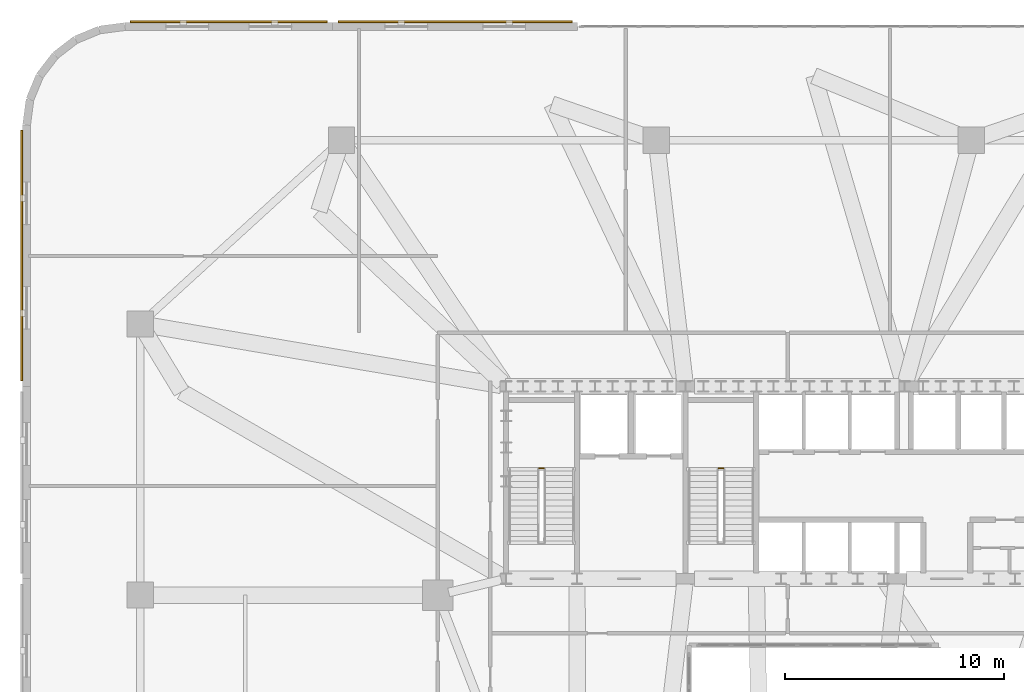
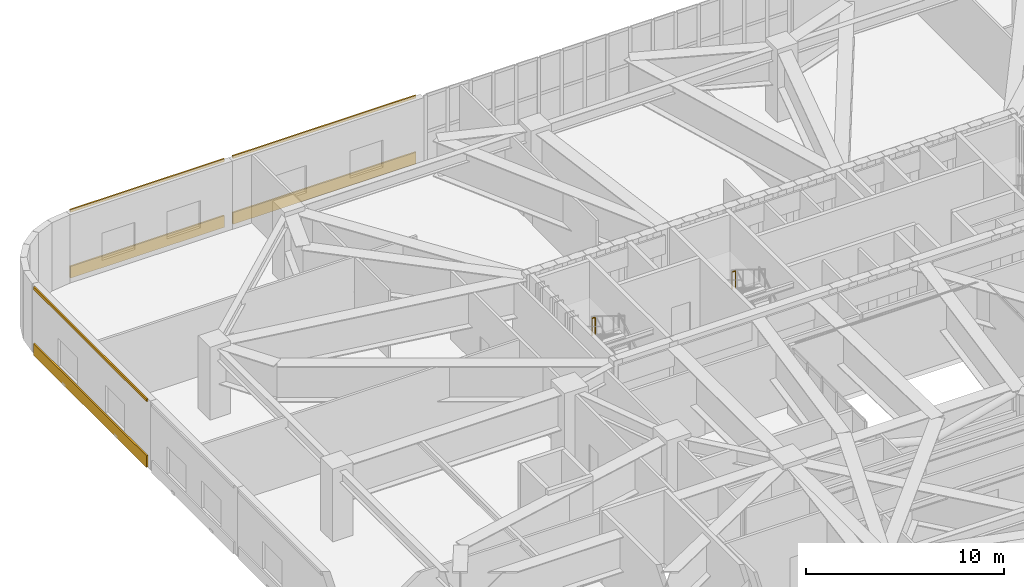
# One storey, part 24 of 26: 6 coverings, 2 railings.
"""IFC4 building model written with IfcOpenShell, lengths in metres."""

from ifc_helpers import new_model, si_unit, direction, frame, origin, origin_2d, place, context, subcontext, project, spatial, polyline, rectangle, outline, extrude, material, layer, layer_set, type_object, element, save


model = new_model("IFC4")

# Units and contexts
model_context = context("Model", 3, precision=1e-05, world=origin(), true_north=direction((0.0, 1.0)))
body_context = subcontext(model_context, "Body", "Model", "MODEL_VIEW")
ifc_project = project(units=[si_unit("LENGTHUNIT", "METRE"), si_unit("AREAUNIT", "SQUARE_METRE"), si_unit("VOLUMEUNIT", "CUBIC_METRE"), si_unit("PLANEANGLEUNIT", "RADIAN"), si_unit("MASSUNIT", "GRAM", prefix="KILO")], contexts=[model_context])

# Site, building, storey
site_placement = place(None, origin())
site = spatial("IfcSite", under=ifc_project, at=site_placement, CompositionType="ELEMENT")
building_placement = place(site_placement, origin())
building = spatial("IfcBuilding", under=site, at=building_placement, Name="Haldorwick Loom Tower", CompositionType="ELEMENT")
storey_placement = place(building_placement, frame((0.0, 0.0, 19.5)))
storey = spatial("IfcBuildingStorey", under=building, at=storey_placement, Name="L04", CompositionType="ELEMENT", Elevation=19.5)

# Coverings
ifc_material_1 = material(Name="Corbelled Pressed Clay Face Brick Veneer", Category="masonry")
ifc_layer = layer(ifc_material_1, 0.090087890625, Name="Corbelled Pressed Clay Face Brick Veneer", Category="masonry")
ifc_layer_set = layer_set([ifc_layer], Name="Corbelled Pressed Clay Face Brick Veneer")
covering_type = type_object("IfcCoveringType", Name="ARC-COV-BRICK090", PredefinedType="CLADDING", material=ifc_layer_set)
covering_1_placement = place(storey_placement, origin())
element("IfcCovering", 1, at=covering_1_placement, inside=storey, type_object=covering_type, Name="L04 Sill Face-Brick Spandrel 20", PredefinedType="CLADDING", context=body_context, shape_type="SweptSolid", body=[
    extrude(outline(polyline([(24.949951171875, 52.27001953125), (14.25, 52.27001953125), (14.25, 52.179931640625), (24.949951171875, 52.179931640625), (24.949951171875, 52.27001953125)])), origin(), (0.0, 0.0, 1.0), 0.719970703125),
])
covering_2_placement = place(storey_placement, frame((0.0, 0.0, 4.06005859375)))
element("IfcCovering", 2, at=covering_2_placement, inside=storey, type_object=covering_type, Name="L04 Head Face-Brick Lintel Band 20", PredefinedType="CLADDING", context=body_context, shape_type="SweptSolid", body=[
    extrude(outline(polyline([(24.949951171875, 52.27001953125), (14.25, 52.27001953125), (14.25, 52.179931640625), (24.949951171875, 52.179931640625), (24.949951171875, 52.27001953125)])), origin(), (0.0, 0.0, 1.0), 0.159912109375),
])
covering_3_placement = place(storey_placement, origin())
element("IfcCovering", 3, at=covering_3_placement, inside=storey, type_object=covering_type, Name="L04 Sill Face-Brick Spandrel 21", PredefinedType="CLADDING", context=body_context, shape_type="SweptSolid", body=[
    extrude(outline(polyline([(13.75, 52.27001953125), (4.75, 52.27001953125), (4.75, 52.179931640625), (13.75, 52.179931640625), (13.75, 52.27001953125)])), origin(), (0.0, 0.0, 1.0), 0.719970703125),
])
covering_4_placement = place(storey_placement, frame((0.0, 0.0, 4.06005859375)))
element("IfcCovering", 4, at=covering_4_placement, inside=storey, type_object=covering_type, Name="L04 Head Face-Brick Lintel Band 21", PredefinedType="CLADDING", context=body_context, shape_type="SweptSolid", body=[
    extrude(outline(polyline([(13.75, 52.27001953125), (4.75, 52.27001953125), (4.75, 52.179931640625), (13.75, 52.179931640625), (13.75, 52.27001953125)])), origin(), (0.0, 0.0, 1.0), 0.159912109375),
])
covering_5_placement = place(storey_placement, origin())
element("IfcCovering", 5, at=covering_5_placement, inside=storey, type_object=covering_type, Name="L04 Sill Face-Brick Spandrel 28", PredefinedType="CLADDING", context=body_context, shape_type="SweptSolid", body=[
    extrude(outline(polyline([(-0.27001953125, 47.25), (-0.27001953125, 35.800048828125), (-0.179931640625, 35.800048828125), (-0.179931640625, 47.25), (-0.27001953125, 47.25)])), origin(), (0.0, 0.0, 1.0), 0.719970703125),
])
covering_6_placement = place(storey_placement, frame((0.0, 0.0, 4.06005859375)))
element("IfcCovering", 6, at=covering_6_placement, inside=storey, type_object=covering_type, Name="L04 Head Face-Brick Lintel Band 28", PredefinedType="CLADDING", context=body_context, shape_type="SweptSolid", body=[
    extrude(outline(polyline([(-0.27001953125, 47.25), (-0.27001953125, 35.800048828125), (-0.179931640625, 35.800048828125), (-0.179931640625, 47.25), (-0.27001953125, 47.25)])), origin(), (0.0, 0.0, 1.0), 0.159912109375),
])

# Railings
ifc_material_2 = material(Name="Steel CSA G40.21 350W", Category="steel")
railing_type = type_object("IfcRailingType", Name="ARC-RLG-GUARD112", PredefinedType="GUARDRAIL", material=ifc_material_2)
railing_1_placement = place(storey_placement, frame((23.64990234375, 31.81005859375, 2.25)))
element("IfcRailing", 7, at=railing_1_placement, inside=storey, type_object=railing_type, Name="L04 ST-01 stair guard 2", PredefinedType="GUARDRAIL", context=body_context, shape_type="SweptSolid", body=[
    extrude(rectangle(XDim=0.048095703125, YDim=0.048095703125, at=origin_2d()), frame((0.0, 0.0, 1.076171875), z_axis=(-1.0, 0.0, 0.0), x_axis=(0.0, -1.0, 0.0)), (0.0, 0.0, 1.0), 0.199951171875),
    extrude(rectangle(XDim=0.0419921875, YDim=0.0419921875, at=origin_2d()), origin(), (0.0, 0.0, 1.0), 1.052001953125),
    extrude(rectangle(XDim=0.0419921875, YDim=0.0419921875, at=origin_2d()), frame((-0.199951171875, 0.0, 0.0)), (0.0, 0.0, 1.0), 1.052001953125),
])
railing_2_placement = place(storey_placement, frame((31.85009765625, 31.81005859375, 2.25)))
element("IfcRailing", 8, at=railing_2_placement, inside=storey, type_object=railing_type, Name="L04 ST-03 stair guard 2", PredefinedType="GUARDRAIL", context=body_context, shape_type="SweptSolid", body=[
    extrude(rectangle(XDim=0.048095703125, YDim=0.048095703125, at=origin_2d()), frame((0.0, 0.0, 1.076171875), z_axis=(-1.0, 0.0, 0.0), x_axis=(0.0, -1.0, 0.0)), (0.0, 0.0, 1.0), 0.2001953125),
    extrude(rectangle(XDim=0.0419921875, YDim=0.0419921875, at=origin_2d()), origin(), (0.0, 0.0, 1.0), 1.052001953125),
    extrude(rectangle(XDim=0.0419921875, YDim=0.0419921875, at=origin_2d()), frame((-0.2001953125, 0.0, 0.0)), (0.0, 0.0, 1.0), 1.052001953125),
])

save(model, "model.ifc")
